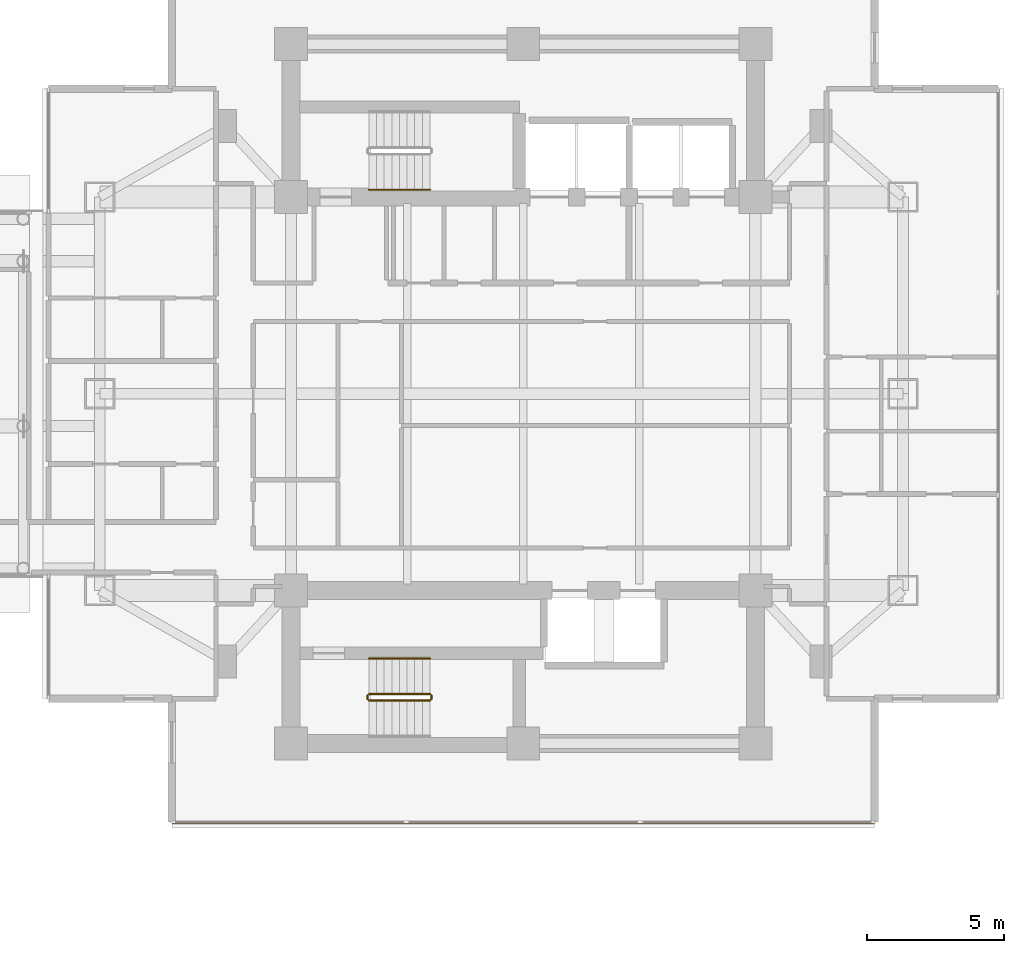
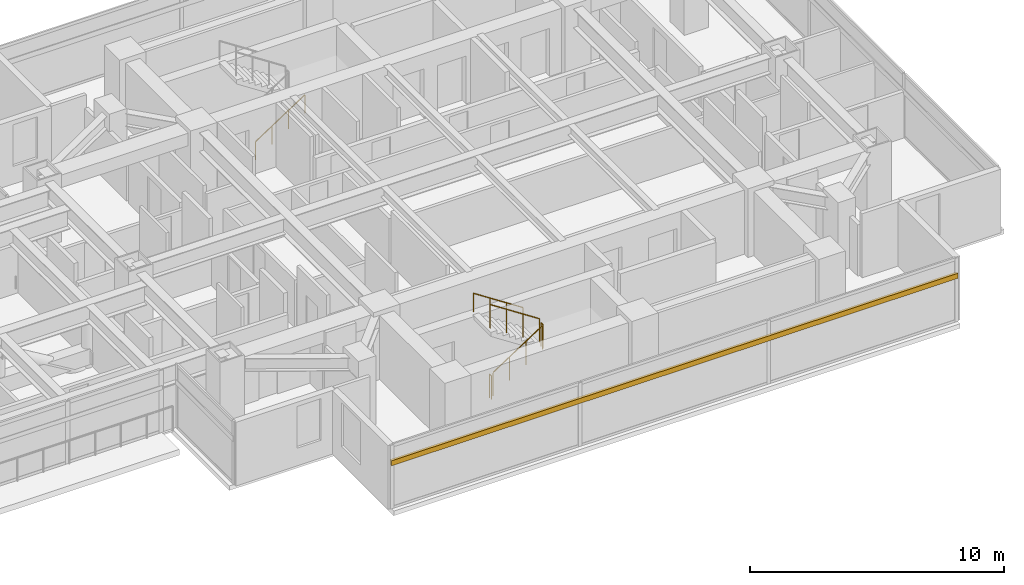
# One storey, part 26 of 28: 6 railings, 1 shading device.
"""IFC4 building model written with IfcOpenShell, lengths in metres."""

from ifc_helpers import new_model, si_unit, direction, frame, origin, origin_2d, place, context, subcontext, project, spatial, rectangle, circle, extrude, material, material_profile, profile_set, type_object, element, save


model = new_model("IFC4")

# Units and contexts
model_context = context("Model", 3, precision=1e-05, world=origin(), true_north=direction((0.0, 1.0)))
body_context = subcontext(model_context, "Body", "Model", "MODEL_VIEW")
ifc_project = project(units=[si_unit("LENGTHUNIT", "METRE"), si_unit("AREAUNIT", "SQUARE_METRE"), si_unit("VOLUMEUNIT", "CUBIC_METRE"), si_unit("PLANEANGLEUNIT", "RADIAN"), si_unit("MASSUNIT", "GRAM", prefix="KILO")], contexts=[model_context])

# Site, building, storey
site_placement = place(None, origin())
site = spatial("IfcSite", under=ifc_project, at=site_placement, CompositionType="ELEMENT")
building_placement = place(site_placement, origin())
building = spatial("IfcBuilding", under=site, at=building_placement, Name="Mirazonda Arch Towers", CompositionType="ELEMENT")
storey_placement = place(building_placement, frame((0.0, 0.0, 91.699951171875)))
storey = spatial("IfcBuildingStorey", under=building, at=storey_placement, Name="L25", CompositionType="ELEMENT", Elevation=91.699951171875)

# Shading device
ifc_material_1 = material(Name="Kiln-Fired Architectural Terracotta", Category="masonry")
ifc_material_profile = material_profile(ifc_material_1, rectangle(XDim=0.1201171875, YDim=0.239990234375, at=origin_2d()), Name="TERRA-BAG-120x240")
ifc_profile_set = profile_set([ifc_material_profile], Name="Kiln-Fired Architectural Terracotta")
shading_device_type = type_object("IfcShadingDeviceType", Name="BAGUETTE-1", PredefinedType="USERDEFINED", material=ifc_profile_set)
shading_device_placement = place(storey_placement, frame((89.3642578125, 12.319091796875, 2.203369140625), z_axis=(-1.0, 0.0, 0.0), x_axis=(0.0, -1.0, 0.0)))
element("IfcShadingDevice", 1, at=shading_device_placement, inside=storey, type_object=shading_device_type, Name="L25 Glazed Terracotta Sun-Screen Baguette CW-L25-T2-S", ObjectType="BAGUETTE", PredefinedType="USERDEFINED", context=body_context, shape_type="SweptSolid", body=[
    extrude(rectangle(XDim=0.1201171875, YDim=0.239990234375, at=origin_2d()), origin(), (0.0, 0.0, 1.0), 25.728515625),
])

# Railings
ifc_material_2 = material(Name="Architectural Brushed Steel S355", Category="steel")
railing_type_1 = type_object("IfcRailingType", Name="GUARD-STAIR-1120", PredefinedType="GUARDRAIL", material=ifc_material_2)
railing_1_placement = place(storey_placement, frame((70.85009765625, 16.77001953125, 0.183349609375)))
element("IfcRailing", 2, at=railing_1_placement, inside=storey, type_object=railing_type_1, Name="L25 ST-T2S stair guard 1", PredefinedType="GUARDRAIL", context=body_context, shape_type="SweptSolid", body=[
    extrude(circle(Radius=0.02392578125, at=origin_2d()), frame((0.0, 0.0, 1.1259765625), z_axis=(0.836595146698, 0.0, 0.547821650285), x_axis=(0.0, 1.0, 0.0)), (0.0, 0.0, 1.0), 2.677490234375),
    extrude(circle(Radius=0.02099609375, at=origin_2d()), origin(), (0.0, 0.0, 1.0), 1.101806640625),
    extrude(circle(Radius=0.02099609375, at=origin_2d()), frame((0.74658203125, 0.0, 0.489013671875)), (0.0, 0.0, 1.0), 1.101806640625),
    extrude(circle(Radius=0.02099609375, at=origin_2d()), frame((1.493408203125, 0.0, 0.977783203125)), (0.0, 0.0, 1.0), 1.101806640625),
    extrude(circle(Radius=0.02099609375, at=origin_2d()), frame((2.239990234375, 0.0, 1.466796875)), (0.0, 0.0, 1.0), 1.101806640625),
])
railing_2_placement = place(storey_placement, frame((73.139892578125, 16.820068359375, 1.650146484375)))
element("IfcRailing", 3, at=railing_2_placement, inside=storey, type_object=railing_type_1, Name="L25 ST-T2S stair guard 2", PredefinedType="GUARDRAIL", context=body_context, shape_type="SweptSolid", body=[
    extrude(circle(Radius=0.02392578125, at=origin_2d()), frame((0.0, 0.0, 1.1259765625), z_axis=(0.0, 1.0, 0.0), x_axis=(-1.0, 0.0, 0.0)), (0.0, 0.0, 1.0), 0.139892578125),
    extrude(circle(Radius=0.02099609375, at=origin_2d()), origin(), (0.0, 0.0, 1.0), 1.101806640625),
    extrude(circle(Radius=0.02099609375, at=origin_2d()), frame((0.0, 0.139892578125, 0.0)), (0.0, 0.0, 1.0), 1.101806640625),
])
railing_3_placement = place(storey_placement, frame((73.090087890625, 17.010009765625, 1.83349609375)))
element("IfcRailing", 4, at=railing_3_placement, inside=storey, type_object=railing_type_1, Name="L25 ST-T2S stair guard 3", PredefinedType="GUARDRAIL", context=body_context, shape_type="SweptSolid", body=[
    extrude(circle(Radius=0.02392578125, at=origin_2d()), frame((0.0, 0.0, 1.1259765625), z_axis=(-0.836636935527, 0.0, 0.547757827979), x_axis=(0.0, -1.0, 0.0)), (0.0, 0.0, 1.0), 2.677490234375),
    extrude(circle(Radius=0.02099609375, at=origin_2d()), origin(), (0.0, 0.0, 1.0), 1.101806640625),
    extrude(circle(Radius=0.02099609375, at=origin_2d()), frame((-0.74658203125, 0.0, 0.48876953125)), (0.0, 0.0, 1.0), 1.101806640625),
    extrude(circle(Radius=0.02099609375, at=origin_2d()), frame((-1.493408203125, 0.0, 0.977783203125)), (0.0, 0.0, 1.0), 1.101806640625),
    extrude(circle(Radius=0.02099609375, at=origin_2d()), frame((-2.239990234375, 0.0, 1.466552734375)), (0.0, 0.0, 1.0), 1.101806640625),
])
railing_4_placement = place(storey_placement, frame((70.800048828125, 16.820068359375, 0.0)))
element("IfcRailing", 5, at=railing_4_placement, inside=storey, type_object=railing_type_1, Name="L25 ST-T2S stair guard 4", PredefinedType="GUARDRAIL", context=body_context, shape_type="SweptSolid", body=[
    extrude(circle(Radius=0.02392578125, at=origin_2d()), frame((0.0, 0.0, 1.1259765625), z_axis=(0.0, 1.0, 0.0), x_axis=(-1.0, 0.0, 0.0)), (0.0, 0.0, 1.0), 0.139892578125),
    extrude(circle(Radius=0.02099609375, at=origin_2d()), origin(), (0.0, 0.0, 1.0), 1.101806640625),
    extrude(circle(Radius=0.02099609375, at=origin_2d()), frame((0.0, 0.139892578125, 0.0)), (0.0, 0.0, 1.0), 1.101806640625),
])
railing_type_2 = type_object("IfcRailingType", Name="HANDRAIL-915", PredefinedType="HANDRAIL", material=ifc_material_2)
railing_5_placement = place(storey_placement, frame((70.85009765625, 35.469970703125, 0.183349609375)))
element("IfcRailing", 6, at=railing_5_placement, inside=storey, type_object=railing_type_2, Name="L25 ST-T2N stair handrail 1", PredefinedType="HANDRAIL", context=body_context, shape_type="SweptSolid", body=[
    extrude(circle(Radius=0.02392578125, at=origin_2d()), frame((0.0, 0.0, 0.8759765625), z_axis=(0.836595146698, 0.0, 0.547821650285), x_axis=(0.0, 1.0, 0.0)), (0.0, 0.0, 1.0), 2.677490234375),
    extrude(circle(Radius=0.02099609375, at=origin_2d()), origin(), (0.0, 0.0, 1.0), 0.851806640625),
    extrude(circle(Radius=0.02099609375, at=origin_2d()), frame((0.74658203125, 0.0, 0.489013671875)), (0.0, 0.0, 1.0), 0.851806640625),
    extrude(circle(Radius=0.02099609375, at=origin_2d()), frame((1.493408203125, 0.0, 0.977783203125)), (0.0, 0.0, 1.0), 0.851806640625),
    extrude(circle(Radius=0.02099609375, at=origin_2d()), frame((2.239990234375, 0.0, 1.466796875)), (0.0, 0.0, 1.0), 0.851806640625),
])
railing_6_placement = place(storey_placement, frame((73.090087890625, 18.31005859375, 1.83349609375)))
element("IfcRailing", 7, at=railing_6_placement, inside=storey, type_object=railing_type_2, Name="L25 ST-T2S stair handrail 2", PredefinedType="HANDRAIL", context=body_context, shape_type="SweptSolid", body=[
    extrude(circle(Radius=0.02392578125, at=origin_2d()), frame((0.0, 0.0, 0.8759765625), z_axis=(-0.836636935527, 0.0, 0.547757827979), x_axis=(0.0, -1.0, 0.0)), (0.0, 0.0, 1.0), 2.677490234375),
    extrude(circle(Radius=0.02099609375, at=origin_2d()), origin(), (0.0, 0.0, 1.0), 0.851806640625),
    extrude(circle(Radius=0.02099609375, at=origin_2d()), frame((-0.74658203125, 0.0, 0.48876953125)), (0.0, 0.0, 1.0), 0.851806640625),
    extrude(circle(Radius=0.02099609375, at=origin_2d()), frame((-1.493408203125, 0.0, 0.977783203125)), (0.0, 0.0, 1.0), 0.851806640625),
    extrude(circle(Radius=0.02099609375, at=origin_2d()), frame((-2.239990234375, 0.0, 1.466552734375)), (0.0, 0.0, 1.0), 0.851806640625),
])

save(model, "model.ifc")
